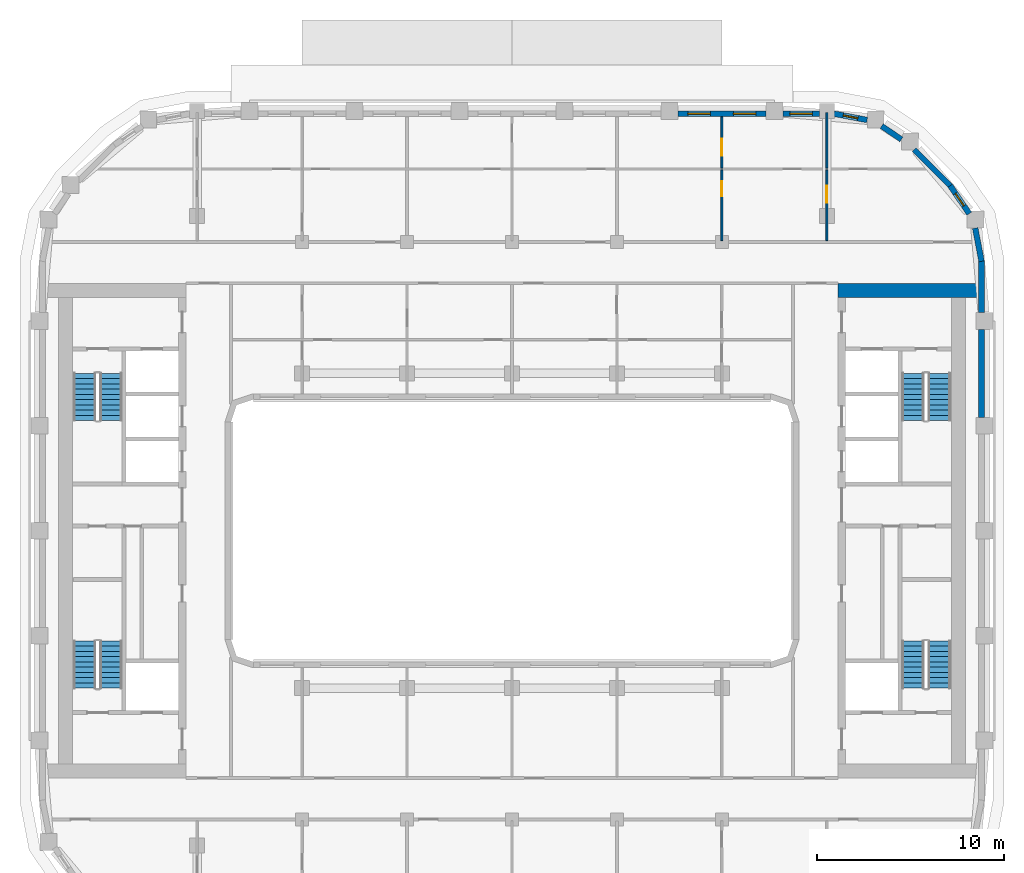
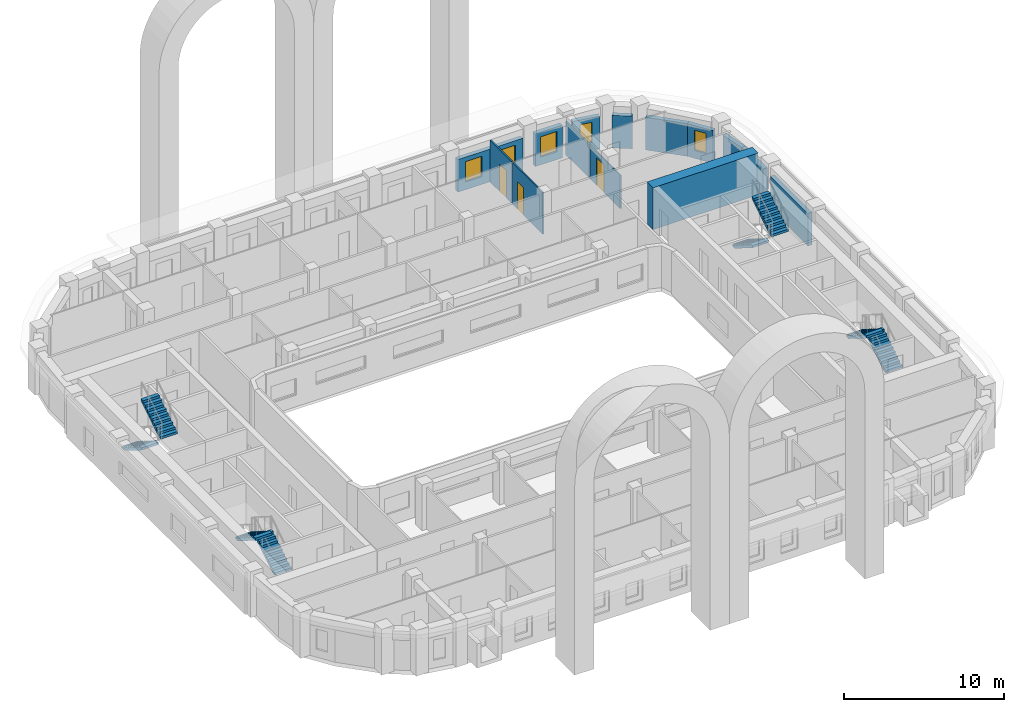
# One storey, part 8 of 18: 14 walls, 8 stair flights, 5 windows, 3 doors, 8 openings, 4 elements without a shape of their own.
"""IFC4 building model written with IfcOpenShell, lengths in metres."""

import ifcopenshell
import ifcopenshell.guid

model = None  # the IFC model being written
_history = None  # IfcOwnerHistory: only IFC2X3 demands one
_inside = {}  # id of a spatial element -> (the spatial element, [elements in it])
_under = {}  # id of a project, library or spatial element -> (it, [spatial elements below it])
_declared = {}  # id of a project -> (the project, [libraries it declares])
_typed = {}  # id of a type object -> (the type object, [elements of that type])
_made_of = {}  # id of a material, layer set ... -> (it, [elements and type objects made of it])


def new_model(schema):
    """Start an empty IFC model of exactly this schema.

    Asked for "IFC4X3", IfcOpenShell would pick the latest addendum, in which some entities
    have other attributes; the version numbers below select the first issue.
    IFC2X3 requires an IfcOwnerHistory on every rooted entity: one is made here for all.
    """
    global model, _history
    if schema == "IFC4X3":
        model = ifcopenshell.file(schema_version=(4, 3, 0, 0))
    else:
        model = ifcopenshell.file(schema=schema)
    _inside.clear()
    _under.clear()
    _declared.clear()
    _typed.clear()
    _made_of.clear()
    _history = None
    if model.schema == "IFC2X3":
        org = make("IfcOrganization", Name="unknown")
        user = make(
            "IfcPersonAndOrganization",
            ThePerson=make("IfcPerson", FamilyName="unknown"),
            TheOrganization=org,
        )
        app = make(
            "IfcApplication",
            ApplicationDeveloper=org,
            Version="unknown",
            ApplicationFullName="unknown",
            ApplicationIdentifier="unknown",
        )
        _history = make(
            "IfcOwnerHistory",
            OwningUser=user,
            OwningApplication=app,
            ChangeAction="ADDED",
            CreationDate=0,
        )
    return model


def make(cls, **values):
    """One entity of the class cls with the attributes given. An attribute that is None is left unset."""
    return model.create_entity(
        cls, **{name: value for name, value in values.items() if value is not None}
    )


def rooted(cls, **values):
    """An entity with a GlobalId (a new one), such as an element, a storey or a relation."""
    return make(cls, GlobalId=ifcopenshell.guid.new(), OwnerHistory=_history, **values)


def si_unit(unit_type, name, prefix=None):
    """IfcSIUnit, for example si_unit("LENGTHUNIT", "METRE", prefix="MILLI")."""
    return make("IfcSIUnit", UnitType=unit_type, Prefix=prefix, Name=name)


def assignment(units):
    """IfcUnitAssignment: the units of a project."""
    return None if units is None else make("IfcUnitAssignment", Units=units)


def point(xyz):
    """IfcCartesianPoint."""
    return None if xyz is None else make("IfcCartesianPoint", Coordinates=xyz)


def direction(xyz):
    """IfcDirection."""
    return None if xyz is None else make("IfcDirection", DirectionRatios=xyz)


def frame(location, z_axis=None, x_axis=None):
    """IfcAxis2Placement3D, a coordinate frame: its origin and axes. An axis left out is left unset."""
    return make(
        "IfcAxis2Placement3D",
        Location=point(location),
        Axis=direction(z_axis),
        RefDirection=direction(x_axis),
    )


def frame_2d(location, x_axis=None):
    """IfcAxis2Placement2D, a coordinate frame in the plane: its origin and x axis."""
    return make(
        "IfcAxis2Placement2D", Location=point(location), RefDirection=direction(x_axis)
    )


def origin():
    """The frame at (0, 0, 0) with its axes left unset."""
    return frame((0.0, 0.0, 0.0))


def place(relative_to, where):
    """IfcLocalPlacement: puts the frame where relative to a parent placement (None: the world)."""
    return make(
        "IfcLocalPlacement", PlacementRelTo=relative_to, RelativePlacement=where
    )


def context(
    kind, dimensions, precision=None, world=None, true_north=None, identifier=None
):
    """IfcGeometricRepresentationContext, for example the 3D "Model" context."""
    return make(
        "IfcGeometricRepresentationContext",
        ContextIdentifier=identifier,
        ContextType=kind,
        CoordinateSpaceDimension=dimensions,
        Precision=precision,
        WorldCoordinateSystem=world,
        TrueNorth=true_north,
    )


def subcontext(parent, identifier, kind, view, scale=None):
    """IfcGeometricRepresentationSubContext, for example "Body" below "Model"."""
    return make(
        "IfcGeometricRepresentationSubContext",
        ContextIdentifier=identifier,
        ContextType=kind,
        ParentContext=parent,
        TargetScale=scale,
        TargetView=view,
    )


def project(units=None, contexts=None):
    """IfcProject with its units and contexts."""
    return rooted(
        "IfcProject",
        Name="project",
        RepresentationContexts=contexts,
        UnitsInContext=assignment(units),
    )


def spatial(cls, under=None, at=None, **own):
    """A site, building, storey or space (cls), placed at a placement, below another one or the project."""
    s = rooted(cls, ObjectPlacement=at, **own)
    if under is not None:
        _under.setdefault(under.id(), (under, []))[1].append(s)
    return s


def polyline(points):
    """IfcPolyline through the points."""
    return make("IfcPolyline", Points=[point(p) for p in points])


def profile(cls, at=None, kind="AREA", **sizes):
    """A parametric profile (cls). Its sizes go by their IFC names, for example OverallWidth=200.0."""
    return make(cls, ProfileType=kind, Position=at, **sizes)


def rectangle(**sizes):
    """IfcRectangleProfileDef."""
    return profile("IfcRectangleProfileDef", **sizes)


def outline(outer, holes=None, kind="AREA"):
    """IfcArbitraryClosedProfileDef: a profile drawn as a closed curve; with holes, ...WithVoids."""
    if holes is None:
        return make("IfcArbitraryClosedProfileDef", ProfileType=kind, OuterCurve=outer)
    return make(
        "IfcArbitraryProfileDefWithVoids",
        ProfileType=kind,
        OuterCurve=outer,
        InnerCurves=holes,
    )


def extrude(swept, where, along, depth):
    """IfcExtrudedAreaSolid: the profile swept, set in the frame where, extruded along a direction by depth."""
    return make(
        "IfcExtrudedAreaSolid",
        SweptArea=swept,
        Position=where,
        ExtrudedDirection=direction(along),
        Depth=depth,
    )


def shape(context_of_items, identifier, shape_type, items):
    """IfcShapeRepresentation: the items that make up one representation, for example the "Body"."""
    return make(
        "IfcShapeRepresentation",
        ContextOfItems=context_of_items,
        RepresentationIdentifier=identifier,
        RepresentationType=shape_type,
        Items=items,
    )


def material(Name=None, Category=None):
    """IfcMaterial."""
    return make("IfcMaterial", Name=Name, Category=Category)


def layer(
    of_material, thickness, ventilated=None, Name=None, Category=None, Priority=None
):
    """IfcMaterialLayer: one layer of a wall or slab, of a material (None: an air gap)."""
    return make(
        "IfcMaterialLayer",
        Material=of_material,
        LayerThickness=thickness,
        IsVentilated=ventilated,
        Name=Name,
        Category=Category,
        Priority=Priority,
    )


def layer_set(layers, Name=None):
    """IfcMaterialLayerSet."""
    return make("IfcMaterialLayerSet", MaterialLayers=layers, LayerSetName=Name)


def made_of(thing, what):
    """Note that an element or type object is made of a material, layer set ...; save() writes the relation."""
    if what is not None:
        _made_of.setdefault(what.id(), (what, []))[1].append(thing)
    return thing


def type_object(cls, material=None, **own):
    """A type object (cls), such as IfcWallType, which elements share."""
    return made_of(rooted(cls, **own), material)


def element(
    cls,
    number,
    at=None,
    inside=None,
    cuts=None,
    type_object=None,
    material=None,
    context=None,
    identifier="Body",
    shape_type=None,
    held_by="IfcProductDefinitionShape",
    body=None,
    shapes=None,
    **own,
):
    """One element of the class cls, such as IfcWall. Its Tag is "e" and its number.

    at: its placement. inside: the storey or other place that contains it. cuts: it is an
    opening in that element (IfcRelVoidsElement). A single representation is given by context,
    identifier, shape_type and body (its items); several are given by shapes. held_by: the class
    of the entity that holds the representations. save() writes the other relations.
    """
    e = rooted(cls, Tag="e%d" % number, ObjectPlacement=at, **own)
    if body is not None:
        shapes = [shape(context, identifier, shape_type, body)]
    if shapes is not None:
        e.Representation = make(held_by, Representations=shapes)
    if inside is not None:
        _inside.setdefault(inside.id(), (inside, []))[1].append(e)
    if cuts is not None:
        rooted(
            "IfcRelVoidsElement", RelatingBuildingElement=cuts, RelatedOpeningElement=e
        )
    if type_object is not None:
        _typed.setdefault(type_object.id(), (type_object, []))[1].append(e)
    return made_of(e, material)


def fill(opening, filler):
    """IfcRelFillsElement: the door or window that sits in an opening."""
    return rooted(
        "IfcRelFillsElement",
        RelatingOpeningElement=opening,
        RelatedBuildingElement=filler,
    )


def aggregate(whole, parts):
    """IfcRelAggregates: a whole, such as a stair, and the parts it consists of."""
    return rooted("IfcRelAggregates", RelatingObject=whole, RelatedObjects=parts)


def save(model, path):
    """Write the relations noted so far, then the file.

    IfcRelAggregates (storeys below a building ...), IfcRelContainedInSpatialStructure (elements
    in a storey), IfcRelDefinesByType, IfcRelAssociatesMaterial and IfcRelDeclares: one each for
    every whole, place, type object, material and project.
    """
    for whole, parts in _under.values():
        aggregate(whole, parts)
    for where, things in _inside.values():
        rooted(
            "IfcRelContainedInSpatialStructure",
            RelatedElements=things,
            RelatingStructure=where,
        )
    for kind, things in _typed.values():
        rooted("IfcRelDefinesByType", RelatedObjects=things, RelatingType=kind)
    for what, things in _made_of.values():
        rooted("IfcRelAssociatesMaterial", RelatedObjects=things, RelatingMaterial=what)
    for by, libraries in _declared.values():
        rooted("IfcRelDeclares", RelatingContext=by, RelatedDefinitions=libraries)
    model.write(path)


model = new_model("IFC4")

# Units and contexts
model_context = context("Model", 3, precision=1e-05, world=origin(), true_north=direction((0.0, 1.0)))
body_context = subcontext(model_context, "Body", "Model", "MODEL_VIEW")
ifc_project = project(units=[si_unit("LENGTHUNIT", "METRE"), si_unit("AREAUNIT", "SQUARE_METRE"), si_unit("VOLUMEUNIT", "CUBIC_METRE"), si_unit("PLANEANGLEUNIT", "RADIAN"), si_unit("MASSUNIT", "GRAM", prefix="KILO")], contexts=[model_context])

# Site, building, storey
site_placement = place(None, origin())
site = spatial("IfcSite", under=ifc_project, at=site_placement, CompositionType="ELEMENT")
building_placement = place(site_placement, origin())
building = spatial("IfcBuilding", under=site, at=building_placement, Name="Kiln Ring Residences", CompositionType="ELEMENT")
storey_placement = place(building_placement, frame((0.0, 0.0, 209.89990234375)))
storey = spatial("IfcBuildingStorey", under=building, at=storey_placement, Name="L54", CompositionType="ELEMENT", Elevation=209.89990234375)

# Walls
ifc_material_1 = material(Name="Concrete C60/75", Category="concrete")
ifc_layer_1 = layer(ifc_material_1, 0.75)
ifc_layer_set_1 = layer_set([ifc_layer_1], Name="CORE-WALL-RC750")
wall_type_1 = type_object("IfcWallType", Name="CORE-WALL-RC750", PredefinedType="SHEAR", material=ifc_layer_set_1)
wall_1_placement = place(storey_placement, frame((17.39990234375, 12.824951171875, 0.0), z_axis=(0.0, 0.0, 1.0), x_axis=(1.0, 0.0, 0.0)))
element("IfcWall", 1, at=wall_1_placement, inside=storey, type_object=wall_type_1, Name="Core wall east L54 4", PredefinedType="SHEAR", context=body_context, shape_type="SweptSolid", body=[
    extrude(rectangle(XDim=7.60009765625, YDim=0.75, at=frame_2d((3.800048828125, 0.0))), origin(), (0.0, 0.0, 1.0), 3.2001953125),
])
ifc_material_2 = material(Name="Brick masonry, dark clay brick", Category="masonry")
ifc_layer_2 = layer(ifc_material_2, 0.300048828125)
ifc_layer_set_2 = layer_set([ifc_layer_2], Name="EW-300 BRICK WALL")
wall_type_2 = type_object("IfcWallType", Name="EW-300 BRICK WALL", PredefinedType="SOLIDWALL", material=ifc_layer_set_2)
wall_2_placement = place(storey_placement, frame((25.050048828125, 6.050048828125, 0.0), z_axis=(0.0, 0.0, 1.0), x_axis=(0.0, 1.0, 0.0)))
element("IfcWall", 2, at=wall_2_placement, inside=storey, type_object=wall_type_2, Name="Facade wall L54 20", PredefinedType="SOLIDWALL", context=body_context, shape_type="SweptSolid", body=[
    extrude(rectangle(XDim=4.699951171875, YDim=0.300048828125, at=frame_2d((2.35009765625, 0.0))), origin(), (0.0, 0.0, 1.0), 2.5),
])
wall_3_placement = place(storey_placement, frame((25.050048828125, 11.64990234375, 0.0), z_axis=(0.0, 0.0, 1.0), x_axis=(0.0, 1.0, 0.0)))
element("IfcWall", 3, at=wall_3_placement, inside=storey, type_object=wall_type_2, Name="Facade wall L54 21", PredefinedType="SOLIDWALL", context=body_context, shape_type="SweptSolid", body=[
    extrude(rectangle(XDim=2.75, YDim=0.300048828125, at=frame_2d((1.375, 0.0))), origin(), (0.0, 0.0, 1.0), 2.5),
])
wall_4_placement = place(storey_placement, frame((25.052734375, 14.371826171875, 0.0), z_axis=(0.0, 0.0, 1.0), x_axis=(-0.187348135549, 0.982293579388, 0.0)))
element("IfcWall", 4, at=wall_4_placement, inside=storey, type_object=wall_type_2, Name="Facade wall L54 22", PredefinedType="SOLIDWALL", context=body_context, shape_type="SweptSolid", body=[
    extrude(rectangle(XDim=1.80615234375, YDim=0.300048828125, at=frame_2d((0.903076171875, 0.0))), origin(), (0.0, 0.0, 1.0), 2.5),
])

# Wall, opening, window
wall_5_placement = place(storey_placement, frame((24.39404296875, 16.9189453125, 0.0), z_axis=(0.0, 0.0, 1.0), x_axis=(-0.562040093569, 0.827109988588, 0.0)))
wall_5 = element("IfcWall", 5, at=wall_5_placement, inside=storey, type_object=wall_type_2, Name="Facade wall L54 23", PredefinedType="SOLIDWALL", context=body_context, shape_type="SweptSolid", body=[
    extrude(rectangle(XDim=1.80615234375, YDim=0.300048828125, at=frame_2d((0.903076171875, 0.0))), origin(), (0.0, 0.0, 1.0), 2.5),
])
opening_1_placement = place(wall_5_placement, frame((0.5029296875, 0.0, 0.60009765625)))
opening_1 = element("IfcOpeningElement", 6, at=opening_1_placement, cuts=wall_5, Name="Opening W5", PredefinedType="OPENING", context=body_context, shape_type="SweptSolid", body=[
    extrude(rectangle(XDim=0.800048828125, YDim=1.550048828125, at=frame_2d((0.39990234375, 0.77490234375))), frame((0.0, 0.159912109375, 0.0), z_axis=(0.0, -1.0, 0.0), x_axis=(1.0, 0.0, 0.0)), (0.0, 0.0, 1.0), 0.320068359375),
])
ifc_material_3 = material(Name="Aluminium frame with double glazing", Category="aluminium")
window_type_1 = type_object("IfcWindowType", Name="WINDOW 800 x 1550", PartitioningType="SINGLE_PANEL", PredefinedType="WINDOW", material=ifc_material_3)
window_1_placement = place(opening_1_placement, origin())
window_1 = element("IfcWindow", 7, at=window_1_placement, inside=storey, type_object=window_type_1, Name="Window L54 17", OverallHeight=1.550048828125, OverallWidth=0.800048828125, PartitioningType="SINGLE_PANEL", PredefinedType="WINDOW", context=body_context, shape_type="SweptSolid", body=[
    extrude(rectangle(XDim=0.800048828125, YDim=1.550048828125, at=frame_2d((0.39990234375, 0.77490234375))), frame((0.0, 0.030029296875, 0.0), z_axis=(0.0, -1.0, 0.0), x_axis=(1.0, 0.0, 0.0)), (0.0, 0.0, 1.0), 0.06005859375),
])
fill(opening_1, window_1)

# Walls
wall_6_placement = place(storey_placement, frame((23.39697265625, 18.390869140625, 0.0), z_axis=(0.0, 0.0, 1.0), x_axis=(-0.707106781187, 0.707106781187, 0.0)))
element("IfcWall", 8, at=wall_6_placement, inside=storey, type_object=wall_type_2, Name="Facade wall L54 24", PredefinedType="SOLIDWALL", context=body_context, shape_type="SweptSolid", body=[
    extrude(rectangle(XDim=2.75, YDim=0.300048828125, at=frame_2d((1.375, 0.0))), origin(), (0.0, 0.0, 1.0), 2.5),
])
wall_7_placement = place(storey_placement, frame((20.775146484375, 20.876220703125, 0.0), z_axis=(0.0, 0.0, 1.0), x_axis=(-0.827075824828, 0.562090366388, 0.0)))
element("IfcWall", 9, at=wall_7_placement, inside=storey, type_object=wall_type_2, Name="Facade wall L54 25", PredefinedType="SOLIDWALL", context=body_context, shape_type="SweptSolid", body=[
    extrude(rectangle(XDim=1.27685546875, YDim=0.300048828125, at=frame_2d((0.638427734375, 0.0))), origin(), (0.0, 0.0, 1.0), 2.5),
])

# Wall, opening, window
wall_8_placement = place(storey_placement, frame((18.946044921875, 21.914306640625, 0.0), z_axis=(0.0, 0.0, 1.0), x_axis=(-0.98230529033, 0.187286722942, 0.0)))
wall_8 = element("IfcWall", 10, at=wall_8_placement, inside=storey, type_object=wall_type_2, Name="Facade wall L54 26", PredefinedType="SOLIDWALL", context=body_context, shape_type="SweptSolid", body=[
    extrude(rectangle(XDim=1.798828125, YDim=0.300048828125, at=frame_2d((0.8994140625, 0.0))), origin(), (0.0, 0.0, 1.0), 2.5),
])
opening_2_placement = place(wall_8_placement, frame((0.49951171875, 0.0, 0.60009765625)))
opening_2 = element("IfcOpeningElement", 11, at=opening_2_placement, cuts=wall_8, Name="Opening W5", PredefinedType="OPENING", context=body_context, shape_type="SweptSolid", body=[
    extrude(rectangle(XDim=0.800048828125, YDim=1.550048828125, at=frame_2d((0.39990234375, 0.77490234375))), frame((0.0, 0.159912109375, 0.0), z_axis=(0.0, -1.0, 0.0), x_axis=(1.0, 0.0, 0.0)), (0.0, 0.0, 1.0), 0.320068359375),
])
window_2_placement = place(opening_2_placement, origin())
window_2 = element("IfcWindow", 12, at=window_2_placement, inside=storey, type_object=window_type_1, Name="Window L54 18", OverallHeight=1.550048828125, OverallWidth=0.800048828125, PartitioningType="SINGLE_PANEL", PredefinedType="WINDOW", context=body_context, shape_type="SweptSolid", body=[
    extrude(rectangle(XDim=0.800048828125, YDim=1.550048828125, at=frame_2d((0.39990234375, 0.77490234375))), frame((0.0, 0.030029296875, 0.0), z_axis=(0.0, -1.0, 0.0), x_axis=(1.0, 0.0, 0.0)), (0.0, 0.0, 1.0), 0.06005859375),
])
fill(opening_2, window_2)

wall_9_placement = place(storey_placement, frame((16.39990234375, 22.25, 0.0), z_axis=(0.0, 0.0, 1.0), x_axis=(-1.0, 0.0, 0.0)))
wall_9 = element("IfcWall", 13, at=wall_9_placement, inside=storey, type_object=wall_type_2, Name="Facade wall L54 27", PredefinedType="SOLIDWALL", context=body_context, shape_type="SweptSolid", body=[
    extrude(rectangle(XDim=1.949951171875, YDim=0.300048828125, at=frame_2d((0.97509765625, 0.0))), origin(), (0.0, 0.0, 1.0), 2.5),
])
opening_3_placement = place(wall_9_placement, frame((0.375, 0.0, 0.60009765625)))
opening_3 = element("IfcOpeningElement", 14, at=opening_3_placement, cuts=wall_9, Name="Opening W1", PredefinedType="OPENING", context=body_context, shape_type="SweptSolid", body=[
    extrude(rectangle(XDim=1.199951171875, YDim=1.550048828125, at=frame_2d((0.60009765625, 0.77490234375))), frame((0.0, 0.159912109375, 0.0), z_axis=(0.0, -1.0, 0.0), x_axis=(1.0, 0.0, 0.0)), (0.0, 0.0, 1.0), 0.320068359375),
])
ifc_material_4 = material(Name="Aluminium frame with double glazing", Category="aluminium")
window_type_2 = type_object("IfcWindowType", Name="WINDOW 1200 x 1550", PartitioningType="SINGLE_PANEL", PredefinedType="WINDOW", material=ifc_material_4)
window_3_placement = place(opening_3_placement, origin())
window_3 = element("IfcWindow", 15, at=window_3_placement, inside=storey, type_object=window_type_2, Name="Window L54 19", OverallHeight=1.550048828125, OverallWidth=1.199951171875, PartitioningType="SINGLE_PANEL", PredefinedType="WINDOW", context=body_context, shape_type="SweptSolid", body=[
    extrude(rectangle(XDim=1.199951171875, YDim=1.550048828125, at=frame_2d((0.60009765625, 0.77490234375))), frame((0.0, 0.030029296875, 0.0), z_axis=(0.0, -1.0, 0.0), x_axis=(1.0, 0.0, 0.0)), (0.0, 0.0, 1.0), 0.06005859375),
])
fill(opening_3, window_3)

# Wall, openings, windows
wall_10_placement = place(storey_placement, frame((13.550048828125, 22.25, 0.0), z_axis=(0.0, 0.0, 1.0), x_axis=(-1.0, 0.0, 0.0)))
wall_10 = element("IfcWall", 16, at=wall_10_placement, inside=storey, type_object=wall_type_2, Name="Facade wall L54 28", PredefinedType="SOLIDWALL", context=body_context, shape_type="SweptSolid", body=[
    extrude(rectangle(XDim=4.699951171875, YDim=0.300048828125, at=frame_2d((2.35009765625, 0.0))), origin(), (0.0, 0.0, 1.0), 2.5),
])
opening_4_placement = place(wall_10_placement, frame((0.53759765625, 0.0, 0.60009765625)))
opening_4 = element("IfcOpeningElement", 17, at=opening_4_placement, cuts=wall_10, Name="Opening W1", PredefinedType="OPENING", context=body_context, shape_type="SweptSolid", body=[
    extrude(rectangle(XDim=1.199951171875, YDim=1.550048828125, at=frame_2d((0.60009765625, 0.77490234375))), frame((0.0, 0.159912109375, 0.0), z_axis=(0.0, -1.0, 0.0), x_axis=(1.0, 0.0, 0.0)), (0.0, 0.0, 1.0), 0.320068359375),
])
opening_5_placement = place(wall_10_placement, frame((2.96240234375, 0.0, 0.60009765625)))
opening_5 = element("IfcOpeningElement", 18, at=opening_5_placement, cuts=wall_10, Name="Opening W1", PredefinedType="OPENING", context=body_context, shape_type="SweptSolid", body=[
    extrude(rectangle(XDim=1.199951171875, YDim=1.550048828125, at=frame_2d((0.60009765625, 0.77490234375))), frame((0.0, 0.159912109375, 0.0), z_axis=(0.0, -1.0, 0.0), x_axis=(1.0, 0.0, 0.0)), (0.0, 0.0, 1.0), 0.320068359375),
])
window_4_placement = place(opening_4_placement, origin())
window_4 = element("IfcWindow", 19, at=window_4_placement, inside=storey, type_object=window_type_2, Name="Window L54 20", OverallHeight=1.550048828125, OverallWidth=1.199951171875, PartitioningType="SINGLE_PANEL", PredefinedType="WINDOW", context=body_context, shape_type="SweptSolid", body=[
    extrude(rectangle(XDim=1.199951171875, YDim=1.550048828125, at=frame_2d((0.60009765625, 0.77490234375))), frame((0.0, 0.030029296875, 0.0), z_axis=(0.0, -1.0, 0.0), x_axis=(1.0, 0.0, 0.0)), (0.0, 0.0, 1.0), 0.06005859375),
])
fill(opening_4, window_4)
window_5_placement = place(opening_5_placement, origin())
window_5 = element("IfcWindow", 20, at=window_5_placement, inside=storey, type_object=window_type_2, Name="Window L54 21", OverallHeight=1.550048828125, OverallWidth=1.199951171875, PartitioningType="SINGLE_PANEL", PredefinedType="WINDOW", context=body_context, shape_type="SweptSolid", body=[
    extrude(rectangle(XDim=1.199951171875, YDim=1.550048828125, at=frame_2d((0.60009765625, 0.77490234375))), frame((0.0, 0.030029296875, 0.0), z_axis=(0.0, -1.0, 0.0), x_axis=(1.0, 0.0, 0.0)), (0.0, 0.0, 1.0), 0.06005859375),
])
fill(opening_5, window_5)

# Wall, opening, door
ifc_material_5 = material(Name="Gypsum board on steel studs", Category="steel")
ifc_layer_3 = layer(ifc_material_5, 0.10009765625)
ifc_layer_set_3 = layer_set([ifc_layer_3], Name="PARTITION-100")
wall_type_3 = type_object("IfcWallType", Name="PARTITION-100", PredefinedType="PARTITIONING", material=ifc_layer_set_3)
wall_11_placement = place(storey_placement, frame((11.199951171875, 15.47509765625, 0.0), z_axis=(0.0, 0.0, 1.0), x_axis=(0.0, 1.0, 0.0)))
wall_11 = element("IfcWall", 21, at=wall_11_placement, inside=storey, type_object=wall_type_3, Name="Partition 046", PredefinedType="PARTITIONING", context=body_context, shape_type="SweptSolid", body=[
    extrude(rectangle(XDim=3.77490234375, YDim=0.10009765625, at=frame_2d((1.887451171875, 0.0))), origin(), (0.0, 0.0, 1.0), 3.2001953125),
])
opening_6_placement = place(wall_11_placement, frame((2.375, 0.0, 0.0)))
opening_6 = element("IfcOpeningElement", 22, at=opening_6_placement, cuts=wall_11, Name="Opening L54-D029", PredefinedType="OPENING", context=body_context, shape_type="SweptSolid", body=[
    extrude(rectangle(XDim=0.800048828125, YDim=2.10009765625, at=frame_2d((0.39990234375, 1.050048828125))), frame((0.0, 0.06005859375, 0.0), z_axis=(0.0, -1.0, 0.0), x_axis=(1.0, 0.0, 0.0)), (0.0, 0.0, 1.0), 0.1201171875),
])
ifc_material_6 = material(Name="Timber door leaf", Category="wood")
door_type_1 = type_object("IfcDoorType", Name="FLAT-DOOR-800-PL", OperationType="SINGLE_SWING_LEFT", PredefinedType="DOOR", material=ifc_material_6)
door_1_placement = place(opening_6_placement, origin())
door_1 = element("IfcDoor", 23, at=door_1_placement, inside=storey, type_object=door_type_1, Name="Door L54-D029", OperationType="SINGLE_SWING_LEFT", OverallHeight=2.10009765625, OverallWidth=0.800048828125, PredefinedType="DOOR", context=body_context, shape_type="SweptSolid", body=[
    extrude(rectangle(XDim=0.800048828125, YDim=2.10009765625, at=frame_2d((0.39990234375, 1.050048828125))), frame((0.0, 0.02490234375, 0.0), z_axis=(0.0, -1.0, 0.0), x_axis=(1.0, 0.0, 0.0)), (0.0, 0.0, 1.0), 0.050048828125),
])
fill(opening_6, door_1)

wall_12_placement = place(storey_placement, frame((11.199951171875, 19.35009765625, 0.0), z_axis=(0.0, 0.0, 1.0), x_axis=(0.0, 1.0, 0.0)))
wall_12 = element("IfcWall", 24, at=wall_12_placement, inside=storey, type_object=wall_type_3, Name="Partition 047", PredefinedType="PARTITIONING", context=body_context, shape_type="SweptSolid", body=[
    extrude(rectangle(XDim=2.72998046875, YDim=0.10009765625, at=frame_2d((1.364990234375, 0.0))), origin(), (0.0, 0.0, 1.0), 3.2001953125),
])
opening_7_placement = place(wall_12_placement, frame((0.659912109375, 0.0, 0.0)))
opening_7 = element("IfcOpeningElement", 25, at=opening_7_placement, cuts=wall_12, Name="Opening L54-D032", PredefinedType="OPENING", context=body_context, shape_type="SweptSolid", body=[
    extrude(rectangle(XDim=0.89990234375, YDim=2.10009765625, at=frame_2d((0.449951171875, 1.050048828125))), frame((0.0, 0.06005859375, 0.0), z_axis=(0.0, -1.0, 0.0), x_axis=(1.0, 0.0, 0.0)), (0.0, 0.0, 1.0), 0.1201171875),
])
ifc_material_7 = material(Name="Timber door leaf", Category="wood")
door_type_2 = type_object("IfcDoorType", Name="FLAT-DOOR-900-PL", OperationType="SINGLE_SWING_LEFT", PredefinedType="DOOR", material=ifc_material_7)
door_2_placement = place(opening_7_placement, origin())
door_2 = element("IfcDoor", 26, at=door_2_placement, inside=storey, type_object=door_type_2, Name="Door L54-D032", OperationType="SINGLE_SWING_RIGHT", OverallHeight=2.10009765625, OverallWidth=0.89990234375, PredefinedType="DOOR", context=body_context, shape_type="SweptSolid", body=[
    extrude(rectangle(XDim=0.89990234375, YDim=2.10009765625, at=frame_2d((0.449951171875, 1.050048828125))), frame((0.0, 0.02490234375, 0.0), z_axis=(0.0, -1.0, 0.0), x_axis=(1.0, 0.0, 0.0)), (0.0, 0.0, 1.0), 0.050048828125),
])
fill(opening_7, door_2)

wall_13_placement = place(storey_placement, frame((16.800048828125, 15.47509765625, 0.0), z_axis=(0.0, 0.0, 1.0), x_axis=(0.0, 1.0, 0.0)))
wall_13 = element("IfcWall", 27, at=wall_13_placement, inside=storey, type_object=wall_type_3, Name="Partition 052", PredefinedType="PARTITIONING", context=body_context, shape_type="SweptSolid", body=[
    extrude(rectangle(XDim=3.77490234375, YDim=0.10009765625, at=frame_2d((1.887451171875, 0.0))), origin(), (0.0, 0.0, 1.0), 2.550048828125),
])
opening_8_placement = place(wall_13_placement, frame((2.02490234375, 0.0, 0.0)))
opening_8 = element("IfcOpeningElement", 28, at=opening_8_placement, cuts=wall_13, Name="Opening L54-D028", PredefinedType="OPENING", context=body_context, shape_type="SweptSolid", body=[
    extrude(rectangle(XDim=0.89990234375, YDim=2.10009765625, at=frame_2d((0.449951171875, 1.050048828125))), frame((0.0, 0.06005859375, 0.0), z_axis=(0.0, -1.0, 0.0), x_axis=(1.0, 0.0, 0.0)), (0.0, 0.0, 1.0), 0.1201171875),
])
door_3_placement = place(opening_8_placement, origin())
door_3 = element("IfcDoor", 29, at=door_3_placement, inside=storey, type_object=door_type_2, Name="Door L54-D028", OperationType="SINGLE_SWING_LEFT", OverallHeight=2.10009765625, OverallWidth=0.89990234375, PredefinedType="DOOR", context=body_context, shape_type="SweptSolid", body=[
    extrude(rectangle(XDim=0.89990234375, YDim=2.10009765625, at=frame_2d((0.449951171875, 1.050048828125))), frame((0.0, 0.02490234375, 0.0), z_axis=(0.0, -1.0, 0.0), x_axis=(1.0, 0.0, 0.0)), (0.0, 0.0, 1.0), 0.050048828125),
])
fill(opening_8, door_3)

# Wall
wall_14_placement = place(storey_placement, frame((16.800048828125, 19.35009765625, 0.0), z_axis=(0.0, 0.0, 1.0), x_axis=(0.0, 1.0, 0.0)))
element("IfcWall", 30, at=wall_14_placement, inside=storey, type_object=wall_type_3, Name="Partition 053", PredefinedType="PARTITIONING", context=body_context, shape_type="SweptSolid", body=[
    extrude(rectangle(XDim=2.9599609375, YDim=0.10009765625, at=frame_2d((1.47998046875, 0.0))), origin(), (0.0, 0.0, 1.0), 2.550048828125),
])

# Stair, stair flights
ifc_material_8 = material(Name="Concrete C40/50", Category="concrete")
stair_type = type_object("IfcStairType", Name="CORE-STAIR", PredefinedType="HALF_TURN_STAIR", material=ifc_material_8)
placement = place(storey_placement, origin())
stair_1 = element("IfcStair", 31, at=placement, inside=storey, type_object=stair_type, Name="L54 stair W-STN", PredefinedType="HALF_TURN_STAIR")
ifc_material_9 = material(Name="Concrete C40/50", Category="concrete")
stair_flight_type = type_object("IfcStairFlightType", Name="CORE-STAIR-FLIGHT", PredefinedType="STRAIGHT", material=ifc_material_9)
stair_flight_1_placement = place(storey_placement, frame((-22.800048828125, 8.39990234375, 0.0), z_axis=(0.0, 0.0, 1.0), x_axis=(0.0, -1.0, 0.0)))
stair_flight_1 = element("IfcStairFlight", 32, at=stair_flight_1_placement, type_object=stair_flight_type, Name="W-STN flight 1", NumberOfRisers=10, NumberOfTreads=9, PredefinedType="STRAIGHT", RiserHeight=0.175, TreadLength=0.28, context=body_context, shape_type="SweptSolid", body=[
    extrude(outline(polyline([(0.0, 0.0), (0.0, 0.175048828125), (0.280029296875, 0.175048828125), (0.280029296875, 0.35009765625), (0.56005859375, 0.35009765625), (0.56005859375, 0.52490234375), (0.840087890625, 0.52490234375), (0.840087890625, 0.699951171875), (1.1201171875, 0.699951171875), (1.1201171875, 0.875), (1.39990234375, 0.875), (1.39990234375, 1.050048828125), (1.679931640625, 1.050048828125), (1.679931640625, 1.22509765625), (1.9599609375, 1.22509765625), (1.9599609375, 1.39990234375), (2.239990234375, 1.39990234375), (2.239990234375, 1.574951171875), (2.52001953125, 1.574951171875), (2.52001953125, 1.75), (2.52001953125, 1.398193359375), (0.28271484375, 0.0), (0.0, 0.0)])), frame((0.0, 0.60009765625, 0.0), z_axis=(0.0, -1.0, 0.0), x_axis=(1.0, 0.0, 0.0)), (0.0, 0.0, 1.0), 1.199951171875),
])
stair_flight_2_placement = place(storey_placement, frame((-21.39990234375, 5.8798828125, 1.75), z_axis=(0.0, 0.0, 1.0), x_axis=(0.0, 1.0, 0.0)))
stair_flight_2 = element("IfcStairFlight", 33, at=stair_flight_2_placement, type_object=stair_flight_type, Name="W-STN flight 2", NumberOfRisers=10, NumberOfTreads=9, PredefinedType="STRAIGHT", RiserHeight=0.175, TreadLength=0.28, context=body_context, shape_type="SweptSolid", body=[
    extrude(outline(polyline([(0.0, 0.0), (0.0, 0.175048828125), (0.280029296875, 0.175048828125), (0.280029296875, 0.35009765625), (0.56005859375, 0.35009765625), (0.56005859375, 0.52490234375), (0.840087890625, 0.52490234375), (0.840087890625, 0.699951171875), (1.1201171875, 0.699951171875), (1.1201171875, 0.875), (1.39990234375, 0.875), (1.39990234375, 1.050048828125), (1.679931640625, 1.050048828125), (1.679931640625, 1.22509765625), (1.9599609375, 1.22509765625), (1.9599609375, 1.39990234375), (2.239990234375, 1.39990234375), (2.239990234375, 1.574951171875), (2.52001953125, 1.574951171875), (2.52001953125, 1.75), (2.52001953125, 1.398193359375), (0.28271484375, 0.0), (0.0, 0.0)])), frame((0.0, 0.60009765625, 0.0), z_axis=(0.0, -1.0, 0.0), x_axis=(1.0, 0.0, 0.0)), (0.0, 0.0, 1.0), 1.199951171875),
])
aggregate(stair_1, [stair_flight_1, stair_flight_2])

stair_2 = element("IfcStair", 34, at=placement, inside=storey, type_object=stair_type, Name="L54 stair W-STS", PredefinedType="HALF_TURN_STAIR")
stair_flight_3_placement = place(storey_placement, frame((-21.39990234375, -8.39990234375, 0.0), z_axis=(0.0, 0.0, 1.0), x_axis=(0.0, 1.0, 0.0)))
stair_flight_3 = element("IfcStairFlight", 35, at=stair_flight_3_placement, type_object=stair_flight_type, Name="W-STS flight 1", NumberOfRisers=10, NumberOfTreads=9, PredefinedType="STRAIGHT", RiserHeight=0.175, TreadLength=0.28, context=body_context, shape_type="SweptSolid", body=[
    extrude(outline(polyline([(0.0, 0.0), (0.0, 0.175048828125), (0.280029296875, 0.175048828125), (0.280029296875, 0.35009765625), (0.56005859375, 0.35009765625), (0.56005859375, 0.52490234375), (0.840087890625, 0.52490234375), (0.840087890625, 0.699951171875), (1.1201171875, 0.699951171875), (1.1201171875, 0.875), (1.39990234375, 0.875), (1.39990234375, 1.050048828125), (1.679931640625, 1.050048828125), (1.679931640625, 1.22509765625), (1.9599609375, 1.22509765625), (1.9599609375, 1.39990234375), (2.239990234375, 1.39990234375), (2.239990234375, 1.574951171875), (2.52001953125, 1.574951171875), (2.52001953125, 1.75), (2.52001953125, 1.398193359375), (0.28271484375, 0.0), (0.0, 0.0)])), frame((0.0, 0.60009765625, 0.0), z_axis=(0.0, -1.0, 0.0), x_axis=(1.0, 0.0, 0.0)), (0.0, 0.0, 1.0), 1.199951171875),
])
stair_flight_4_placement = place(storey_placement, frame((-22.800048828125, -5.8798828125, 1.75), z_axis=(0.0, 0.0, 1.0), x_axis=(0.0, -1.0, 0.0)))
stair_flight_4 = element("IfcStairFlight", 36, at=stair_flight_4_placement, type_object=stair_flight_type, Name="W-STS flight 2", NumberOfRisers=10, NumberOfTreads=9, PredefinedType="STRAIGHT", RiserHeight=0.175, TreadLength=0.28, context=body_context, shape_type="SweptSolid", body=[
    extrude(outline(polyline([(0.0, 0.0), (0.0, 0.175048828125), (0.280029296875, 0.175048828125), (0.280029296875, 0.35009765625), (0.56005859375, 0.35009765625), (0.56005859375, 0.52490234375), (0.840087890625, 0.52490234375), (0.840087890625, 0.699951171875), (1.1201171875, 0.699951171875), (1.1201171875, 0.875), (1.39990234375, 0.875), (1.39990234375, 1.050048828125), (1.679931640625, 1.050048828125), (1.679931640625, 1.22509765625), (1.9599609375, 1.22509765625), (1.9599609375, 1.39990234375), (2.239990234375, 1.39990234375), (2.239990234375, 1.574951171875), (2.52001953125, 1.574951171875), (2.52001953125, 1.75), (2.52001953125, 1.398193359375), (0.28271484375, 0.0), (0.0, 0.0)])), frame((0.0, 0.60009765625, 0.0), z_axis=(0.0, -1.0, 0.0), x_axis=(1.0, 0.0, 0.0)), (0.0, 0.0, 1.0), 1.199951171875),
])
aggregate(stair_2, [stair_flight_3, stair_flight_4])

stair_3 = element("IfcStair", 37, at=placement, inside=storey, type_object=stair_type, Name="L54 stair E-STN", PredefinedType="HALF_TURN_STAIR")
stair_flight_5_placement = place(storey_placement, frame((21.39990234375, 8.39990234375, 0.0), z_axis=(0.0, 0.0, 1.0), x_axis=(0.0, -1.0, 0.0)))
stair_flight_5 = element("IfcStairFlight", 38, at=stair_flight_5_placement, type_object=stair_flight_type, Name="E-STN flight 1", NumberOfRisers=10, NumberOfTreads=9, PredefinedType="STRAIGHT", RiserHeight=0.175, TreadLength=0.28, context=body_context, shape_type="SweptSolid", body=[
    extrude(outline(polyline([(0.0, 0.0), (0.0, 0.175048828125), (0.280029296875, 0.175048828125), (0.280029296875, 0.35009765625), (0.56005859375, 0.35009765625), (0.56005859375, 0.52490234375), (0.840087890625, 0.52490234375), (0.840087890625, 0.699951171875), (1.1201171875, 0.699951171875), (1.1201171875, 0.875), (1.39990234375, 0.875), (1.39990234375, 1.050048828125), (1.679931640625, 1.050048828125), (1.679931640625, 1.22509765625), (1.9599609375, 1.22509765625), (1.9599609375, 1.39990234375), (2.239990234375, 1.39990234375), (2.239990234375, 1.574951171875), (2.52001953125, 1.574951171875), (2.52001953125, 1.75), (2.52001953125, 1.398193359375), (0.28271484375, 0.0), (0.0, 0.0)])), frame((0.0, 0.60009765625, 0.0), z_axis=(0.0, -1.0, 0.0), x_axis=(1.0, 0.0, 0.0)), (0.0, 0.0, 1.0), 1.199951171875),
])
stair_flight_6_placement = place(storey_placement, frame((22.800048828125, 5.8798828125, 1.75), z_axis=(0.0, 0.0, 1.0), x_axis=(0.0, 1.0, 0.0)))
stair_flight_6 = element("IfcStairFlight", 39, at=stair_flight_6_placement, type_object=stair_flight_type, Name="E-STN flight 2", NumberOfRisers=10, NumberOfTreads=9, PredefinedType="STRAIGHT", RiserHeight=0.175, TreadLength=0.28, context=body_context, shape_type="SweptSolid", body=[
    extrude(outline(polyline([(0.0, 0.0), (0.0, 0.175048828125), (0.280029296875, 0.175048828125), (0.280029296875, 0.35009765625), (0.56005859375, 0.35009765625), (0.56005859375, 0.52490234375), (0.840087890625, 0.52490234375), (0.840087890625, 0.699951171875), (1.1201171875, 0.699951171875), (1.1201171875, 0.875), (1.39990234375, 0.875), (1.39990234375, 1.050048828125), (1.679931640625, 1.050048828125), (1.679931640625, 1.22509765625), (1.9599609375, 1.22509765625), (1.9599609375, 1.39990234375), (2.239990234375, 1.39990234375), (2.239990234375, 1.574951171875), (2.52001953125, 1.574951171875), (2.52001953125, 1.75), (2.52001953125, 1.398193359375), (0.28271484375, 0.0), (0.0, 0.0)])), frame((0.0, 0.60009765625, 0.0), z_axis=(0.0, -1.0, 0.0), x_axis=(1.0, 0.0, 0.0)), (0.0, 0.0, 1.0), 1.199951171875),
])
aggregate(stair_3, [stair_flight_5, stair_flight_6])

stair_4 = element("IfcStair", 40, at=placement, inside=storey, type_object=stair_type, Name="L54 stair E-STS", PredefinedType="HALF_TURN_STAIR")
stair_flight_7_placement = place(storey_placement, frame((22.800048828125, -8.39990234375, 0.0), z_axis=(0.0, 0.0, 1.0), x_axis=(0.0, 1.0, 0.0)))
stair_flight_7 = element("IfcStairFlight", 41, at=stair_flight_7_placement, type_object=stair_flight_type, Name="E-STS flight 1", NumberOfRisers=10, NumberOfTreads=9, PredefinedType="STRAIGHT", RiserHeight=0.175, TreadLength=0.28, context=body_context, shape_type="SweptSolid", body=[
    extrude(outline(polyline([(0.0, 0.0), (0.0, 0.175048828125), (0.280029296875, 0.175048828125), (0.280029296875, 0.35009765625), (0.56005859375, 0.35009765625), (0.56005859375, 0.52490234375), (0.840087890625, 0.52490234375), (0.840087890625, 0.699951171875), (1.1201171875, 0.699951171875), (1.1201171875, 0.875), (1.39990234375, 0.875), (1.39990234375, 1.050048828125), (1.679931640625, 1.050048828125), (1.679931640625, 1.22509765625), (1.9599609375, 1.22509765625), (1.9599609375, 1.39990234375), (2.239990234375, 1.39990234375), (2.239990234375, 1.574951171875), (2.52001953125, 1.574951171875), (2.52001953125, 1.75), (2.52001953125, 1.398193359375), (0.28271484375, 0.0), (0.0, 0.0)])), frame((0.0, 0.60009765625, 0.0), z_axis=(0.0, -1.0, 0.0), x_axis=(1.0, 0.0, 0.0)), (0.0, 0.0, 1.0), 1.199951171875),
])
stair_flight_8_placement = place(storey_placement, frame((21.39990234375, -5.8798828125, 1.75), z_axis=(0.0, 0.0, 1.0), x_axis=(0.0, -1.0, 0.0)))
stair_flight_8 = element("IfcStairFlight", 42, at=stair_flight_8_placement, type_object=stair_flight_type, Name="E-STS flight 2", NumberOfRisers=10, NumberOfTreads=9, PredefinedType="STRAIGHT", RiserHeight=0.175, TreadLength=0.28, context=body_context, shape_type="SweptSolid", body=[
    extrude(outline(polyline([(0.0, 0.0), (0.0, 0.175048828125), (0.280029296875, 0.175048828125), (0.280029296875, 0.35009765625), (0.56005859375, 0.35009765625), (0.56005859375, 0.52490234375), (0.840087890625, 0.52490234375), (0.840087890625, 0.699951171875), (1.1201171875, 0.699951171875), (1.1201171875, 0.875), (1.39990234375, 0.875), (1.39990234375, 1.050048828125), (1.679931640625, 1.050048828125), (1.679931640625, 1.22509765625), (1.9599609375, 1.22509765625), (1.9599609375, 1.39990234375), (2.239990234375, 1.39990234375), (2.239990234375, 1.574951171875), (2.52001953125, 1.574951171875), (2.52001953125, 1.75), (2.52001953125, 1.398193359375), (0.28271484375, 0.0), (0.0, 0.0)])), frame((0.0, 0.60009765625, 0.0), z_axis=(0.0, -1.0, 0.0), x_axis=(1.0, 0.0, 0.0)), (0.0, 0.0, 1.0), 1.199951171875),
])
aggregate(stair_4, [stair_flight_7, stair_flight_8])

save(model, "model.ifc")
